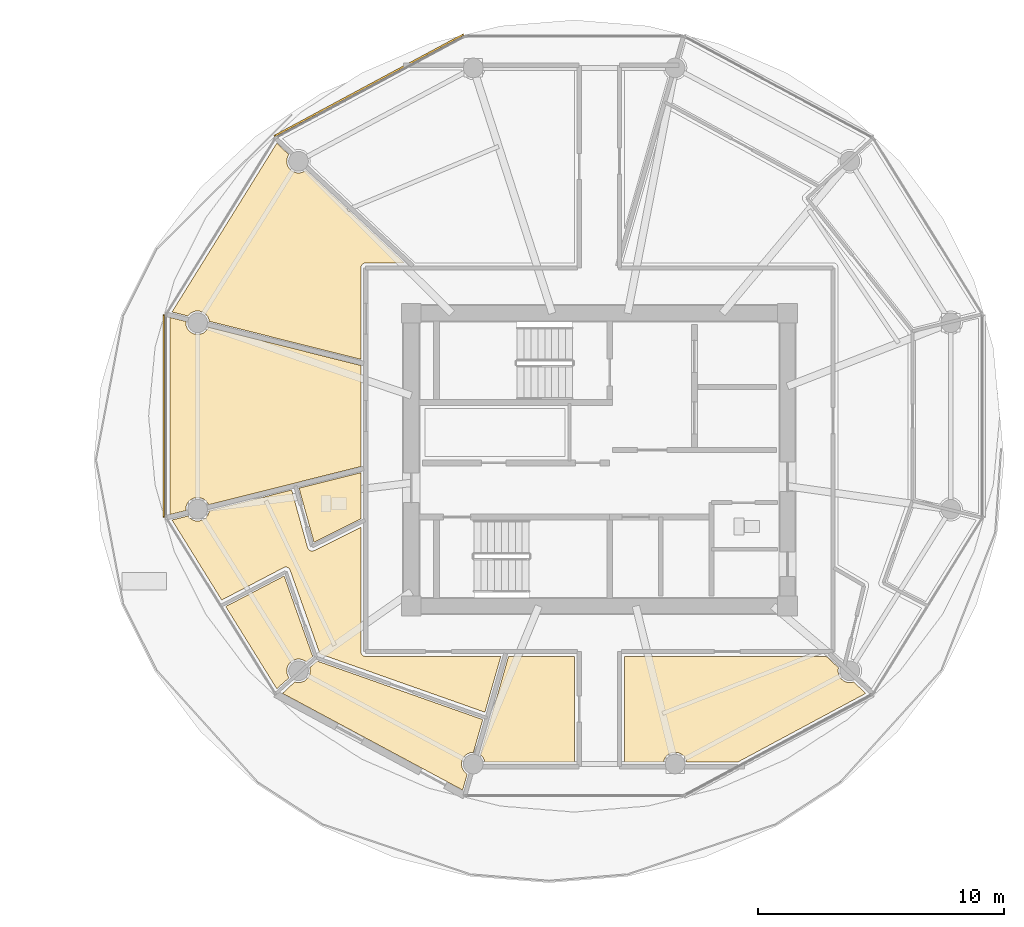
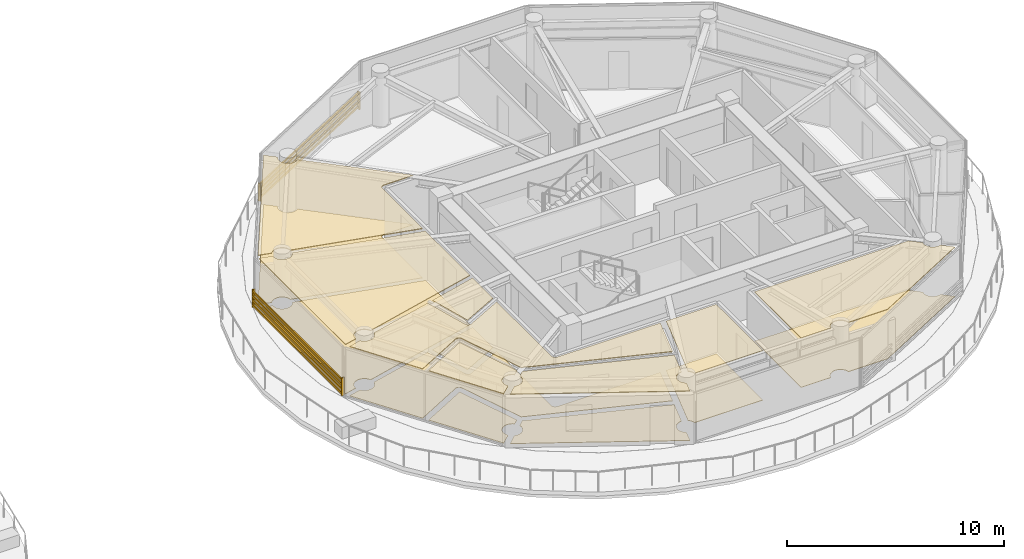
# One storey, part 22 of 28: 16 coverings, 2 shading devices.
"""IFC4 building model written with IfcOpenShell, lengths in metres."""

from ifc_helpers import new_model, si_unit, direction, frame, origin, origin_2d, place, context, subcontext, project, spatial, polyline, rectangle, outline, extrude, source, transform, mapped, material, layer, layer_set, type_object, type_shapes, element, save


model = new_model("IFC4")

# Units and contexts
model_context = context("Model", 3, precision=1e-05, world=origin(), true_north=direction((0.0, 1.0)))
body_context = subcontext(model_context, "Body", "Model", "MODEL_VIEW")
ifc_project = project(units=[si_unit("LENGTHUNIT", "METRE"), si_unit("AREAUNIT", "SQUARE_METRE"), si_unit("VOLUMEUNIT", "CUBIC_METRE"), si_unit("PLANEANGLEUNIT", "RADIAN"), si_unit("MASSUNIT", "GRAM", prefix="KILO")], contexts=[model_context])

# Site, building, storey
site_placement = place(None, origin())
site = spatial("IfcSite", under=ifc_project, at=site_placement, CompositionType="ELEMENT")
building_placement = place(site_placement, origin())
building = spatial("IfcBuilding", under=site, at=building_placement, Name="Norrkilde Senior Care Towers", CompositionType="ELEMENT")
storey_placement = place(building_placement, frame((0.0, 0.0, 134.300048828125)))
storey = spatial("IfcBuildingStorey", under=building, at=storey_placement, Name="L41", CompositionType="ELEMENT", Elevation=134.300048828125)

# Coverings
ifc_material_1 = material(Name="Nordic Ash Timber", Category="wood")
ifc_layer_1 = layer(ifc_material_1, 0.044921875)
ifc_layer_set_1 = layer_set([ifc_layer_1], Name="Nordic Ash Timber")
covering_type_1 = type_object("IfcCoveringType", Name="Acoustic Ash Timber Slatted Ceiling 45", PredefinedType="CEILING", material=ifc_layer_set_1)
covering_1_placement = place(storey_placement, frame((0.0, 0.0, 2.764892578125)))
element("IfcCovering", 1, at=covering_1_placement, inside=storey, type_object=covering_type_1, Name="L41 Suspended Ceiling 0291", PredefinedType="CEILING", context=body_context, shape_type="SweptSolid", body=[
    extrude(outline(polyline([(24.305419921875, -8.0), (26.97998046875, -8.0), (26.97998046875, -12.294677734375), (23.342041015625, -12.294677734375), (23.33642578125, -12.251220703125), (23.288330078125, -12.135498046875), (23.212158203125, -12.0361328125), (23.162353515625, -11.997802734375), (24.305419921875, -8.0)])), origin(), (0.0, 0.0, 1.0), 0.045166015625),
])
covering_2_placement = place(storey_placement, frame((0.0, 0.0, 2.764892578125)))
element("IfcCovering", 2, at=covering_2_placement, inside=storey, type_object=covering_type_1, Name="L41 Suspended Ceiling 0292", PredefinedType="CEILING", context=body_context, shape_type="SweptSolid", body=[
    extrude(outline(polyline([(31.546630859375, -12.294677734375), (31.541015625, -12.251220703125), (31.492919921875, -12.135498046875), (31.416748046875, -12.0361328125), (31.3173828125, -11.959716796875), (31.201416015625, -11.911865234375), (31.077392578125, -11.8955078125), (30.953125, -11.911865234375), (30.83740234375, -11.959716796875), (30.73779296875, -12.0361328125), (30.66162109375, -12.135498046875), (30.613525390625, -12.251220703125), (30.60791015625, -12.294677734375), (29.02001953125, -12.294677734375), (29.02001953125, -8.0), (37.228759765625, -8.0), (37.718994140625, -8.45947265625), (37.718994140625, -8.45947265625), (37.70263671875, -8.583740234375), (37.718994140625, -8.7080078125), (37.766845703125, -8.82373046875), (37.84326171875, -8.923095703125), (37.942626953125, -8.99951171875), (38.058349609375, -9.04736328125), (38.1826171875, -9.063720703125), (38.306884765625, -9.04736328125), (38.334228515625, -9.0361328125), (38.830810546875, -9.50146484375), (33.628662109375, -12.294677734375), (31.546630859375, -12.294677734375)])), origin(), (0.0, 0.0, 1.0), 0.045166015625),
])
covering_3_placement = place(storey_placement, frame((0.0, 0.0, 2.764892578125)))
element("IfcCovering", 3, at=covering_3_placement, inside=storey, type_object=covering_type_1, Name="L41 Suspended Ceiling 0293", PredefinedType="CEILING", context=body_context, shape_type="SweptSolid", body=[
    extrude(outline(polyline([(18.466796875, 7.9970703125), (18.455322265625, 7.994873046875), (18.447509765625, 7.992919921875), (18.436279296875, 7.989501953125), (18.428955078125, 7.98681640625), (18.41796875, 7.982421875), (18.410888671875, 7.97900390625), (18.400634765625, 7.973388671875), (18.393798828125, 7.969482421875), (18.384033203125, 7.962890625), (18.377685546875, 7.958251953125), (18.36865234375, 7.95068359375), (18.36279296875, 7.945556640625), (18.3544921875, 7.937255859375), (18.34912109375, 7.931396484375), (18.341796875, 7.92236328125), (18.337158203125, 7.916015625), (18.33056640625, 7.90625), (18.326416015625, 7.8994140625), (18.321044921875, 7.888916015625), (18.317626953125, 7.8818359375), (18.31298828125, 7.87109375), (18.310546875, 7.86376953125), (18.30712890625, 7.852294921875), (18.30517578125, 7.8447265625), (18.302734375, 7.833251953125), (18.3017578125, 7.825439453125), (18.300537109375, 7.813720703125), (18.300048828125, 7.805908203125), (18.300048828125, 7.800048828125), (18.300048828125, 4.077880859375), (12.137451171875, 5.62548828125), (12.128662109375, 5.691162109375), (12.080810546875, 5.80712890625), (12.00439453125, 5.906494140625), (11.905029296875, 5.982666015625), (11.789306640625, 6.03076171875), (11.6650390625, 6.047119140625), (11.540771484375, 6.03076171875), (11.425048828125, 5.982666015625), (11.32568359375, 5.906494140625), (11.276123046875, 5.841796875), (10.625, 6.00537109375), (14.882568359375, 12.863037109375), (15.37353515625, 12.40283203125), (15.3515625, 12.37451171875), (15.3037109375, 12.2587890625), (15.287353515625, 12.134521484375), (15.3037109375, 12.01025390625), (15.3515625, 11.89453125), (15.427978515625, 11.795166015625), (15.52734375, 11.71875), (15.64306640625, 11.6708984375), (15.767333984375, 11.654541015625), (15.8916015625, 11.6708984375), (16.00732421875, 11.71875), (16.06005859375, 11.75927734375), (20.07080078125, 8.0), (18.5, 8.0), (18.494140625, 7.999755859375), (18.486328125, 7.99951171875), (18.474609375, 7.998291015625), (18.466796875, 7.9970703125)])), origin(), (0.0, 0.0, 1.0), 0.045166015625),
])
covering_4_placement = place(storey_placement, frame((0.0, 0.0, 2.764892578125)))
element("IfcCovering", 4, at=covering_4_placement, inside=storey, type_object=covering_type_1, Name="L41 Suspended Ceiling 0294", PredefinedType="CEILING", context=body_context, shape_type="SweptSolid", body=[
    extrude(outline(polyline([(11.18505859375, 5.567138671875), (11.201416015625, 5.44287109375), (11.249267578125, 5.3271484375), (11.32568359375, 5.2275390625), (11.425048828125, 5.1513671875), (11.540771484375, 5.103515625), (11.6650390625, 5.087158203125), (11.789306640625, 5.103515625), (11.905029296875, 5.1513671875), (12.00439453125, 5.2275390625), (12.080810546875, 5.3271484375), (12.105224609375, 5.38623046875), (18.300048828125, 3.830322265625), (18.300048828125, -0.279541015625), (12.105224609375, -1.83544921875), (12.080810546875, -1.7763671875), (12.00439453125, -1.677001953125), (11.905029296875, -1.6005859375), (11.789306640625, -1.552734375), (11.6650390625, -1.536376953125), (11.540771484375, -1.552734375), (11.425048828125, -1.6005859375), (11.32568359375, -1.677001953125), (11.249267578125, -1.7763671875), (11.201416015625, -1.89208984375), (11.18505859375, -2.016357421875), (11.19140625, -2.06494140625), (10.5390625, -2.228759765625), (10.5390625, 5.779541015625), (11.19140625, 5.61572265625), (11.18505859375, 5.567138671875)])), origin(), (0.0, 0.0, 1.0), 0.045166015625),
])
covering_5_placement = place(storey_placement, frame((0.0, 0.0, 2.764892578125)))
element("IfcCovering", 5, at=covering_5_placement, inside=storey, type_object=covering_type_1, Name="L41 Suspended Ceiling 0295", PredefinedType="CEILING", context=body_context, shape_type="SweptSolid", body=[
    extrude(outline(polyline([(16.143798828125, -3.599609375), (16.146484375, -3.605712890625), (16.15185546875, -3.616455078125), (16.1552734375, -3.622314453125), (16.161376953125, -3.63232421875), (16.16552734375, -3.637939453125), (16.172607421875, -3.647216796875), (16.177001953125, -3.65234375), (16.185302734375, -3.660888671875), (16.190185546875, -3.66552734375), (16.198974609375, -3.67333984375), (16.204345703125, -3.677490234375), (16.214111328125, -3.684326171875), (16.2197265625, -3.68798828125), (16.22998046875, -3.69384765625), (16.236083984375, -3.69677734375), (16.246826171875, -3.70166015625), (16.253173828125, -3.7041015625), (16.264404296875, -3.707763671875), (16.27099609375, -3.709716796875), (16.282470703125, -3.71240234375), (16.2890625, -3.71337890625), (16.30078125, -3.71484375), (16.3076171875, -3.715576171875), (16.3193359375, -3.7158203125), (16.326171875, -3.715576171875), (16.337890625, -3.71484375), (16.3447265625, -3.714111328125), (16.3564453125, -3.712158203125), (16.363037109375, -3.710693359375), (16.374267578125, -3.70751953125), (16.380859375, -3.705322265625), (16.391845703125, -3.701171875), (16.398193359375, -3.698486328125), (16.403564453125, -3.696044921875), (18.300048828125, -2.75244140625), (18.300048828125, -7.800048828125), (18.300048828125, -7.805908203125), (18.300537109375, -7.813720703125), (18.3017578125, -7.825439453125), (18.302734375, -7.833251953125), (18.30517578125, -7.8447265625), (18.30712890625, -7.852294921875), (18.310546875, -7.86376953125), (18.31298828125, -7.87109375), (18.317626953125, -7.8818359375), (18.321044921875, -7.888916015625), (18.326416015625, -7.8994140625), (18.33056640625, -7.90625), (18.337158203125, -7.916015625), (18.341796875, -7.92236328125), (18.34912109375, -7.931396484375), (18.3544921875, -7.937255859375), (18.36279296875, -7.945556640625), (18.36865234375, -7.95068359375), (18.377685546875, -7.958251953125), (18.384033203125, -7.962890625), (18.393798828125, -7.969482421875), (18.400634765625, -7.973388671875), (18.410888671875, -7.97900390625), (18.41796875, -7.982421875), (18.428955078125, -7.98681640625), (18.436279296875, -7.989501953125), (18.447509765625, -7.992919921875), (18.455322265625, -7.994873046875), (18.466796875, -7.9970703125), (18.474609375, -7.998291015625), (18.486328125, -7.99951171875), (18.494140625, -7.999755859375), (18.5, -8.0), (23.993408203125, -8.0), (23.344482421875, -10.269287109375), (16.637939453125, -7.897705078125), (15.4287109375, -4.494873046875), (15.426513671875, -4.4892578125), (15.423828125, -4.482666015625), (15.418701171875, -4.471923828125), (15.415283203125, -4.465576171875), (15.408935546875, -4.455322265625), (15.405029296875, -4.449462890625), (15.39794921875, -4.439697265625), (15.393310546875, -4.434326171875), (15.38525390625, -4.425537109375), (15.380126953125, -4.42041015625), (15.37109375, -4.41259765625), (15.36572265625, -4.408203125), (15.355712890625, -4.401123046875), (15.349853515625, -4.397216796875), (15.33935546875, -4.39111328125), (15.333251953125, -4.387939453125), (15.322265625, -4.383056640625), (15.315673828125, -4.38037109375), (15.30419921875, -4.37646484375), (15.29736328125, -4.374755859375), (15.28564453125, -4.3720703125), (15.278564453125, -4.370849609375), (15.2666015625, -4.369384765625), (15.259765625, -4.368896484375), (15.24755859375, -4.36865234375), (15.240478515625, -4.36865234375), (15.228515625, -4.36962890625), (15.221435546875, -4.37060546875), (15.209716796875, -4.372802734375), (15.202880859375, -4.37451171875), (15.191162109375, -4.377685546875), (15.1845703125, -4.380126953125), (15.17333984375, -4.384521484375), (15.1669921875, -4.387451171875), (15.161376953125, -4.39013671875), (12.64453125, -5.70751953125), (10.625, -2.45458984375), (11.276123046875, -2.291259765625), (11.32568359375, -2.355712890625), (11.425048828125, -2.43212890625), (11.540771484375, -2.47998046875), (11.6650390625, -2.496337890625), (11.789306640625, -2.47998046875), (11.905029296875, -2.43212890625), (12.00439453125, -2.355712890625), (12.080810546875, -2.25634765625), (12.128662109375, -2.140625), (12.137451171875, -2.074951171875), (15.488037109375, -1.2333984375), (16.1357421875, -3.576416015625), (16.137451171875, -3.58203125), (16.1396484375, -3.588623046875), (16.143798828125, -3.599609375)])), origin(), (0.0, 0.0, 1.0), 0.045166015625),
])
covering_6_placement = place(storey_placement, frame((0.0, 0.0, 2.764892578125)))
element("IfcCovering", 6, at=covering_6_placement, inside=storey, type_object=covering_type_1, Name="L41 Suspended Ceiling 0297", PredefinedType="CEILING", context=body_context, shape_type="SweptSolid", body=[
    extrude(outline(polyline([(15.182861328125, -4.72900390625), (16.34619140625, -8.002685546875), (16.09033203125, -8.23193359375), (16.00732421875, -8.16796875), (15.8916015625, -8.1201171875), (15.767333984375, -8.103759765625), (15.64306640625, -8.1201171875), (15.52734375, -8.16796875), (15.427978515625, -8.244384765625), (15.3515625, -8.34375), (15.3037109375, -8.45947265625), (15.287353515625, -8.583740234375), (15.3037109375, -8.7080078125), (15.3515625, -8.82373046875), (15.383544921875, -8.865478515625), (14.88330078125, -9.31396484375), (12.808349609375, -5.971435546875), (15.182861328125, -4.72900390625)])), origin(), (0.0, 0.0, 1.0), 0.045166015625),
])
covering_7_placement = place(storey_placement, frame((0.0, 0.0, 2.764892578125)))
element("IfcCovering", 7, at=covering_7_placement, inside=storey, type_object=covering_type_1, Name="L41 Suspended Ceiling 0298", PredefinedType="CEILING", context=body_context, shape_type="SweptSolid", body=[
    extrude(outline(polyline([(15.64306640625, -9.04736328125), (15.767333984375, -9.063720703125), (15.8916015625, -9.04736328125), (16.00732421875, -8.99951171875), (16.106689453125, -8.923095703125), (16.18310546875, -8.82373046875), (16.23095703125, -8.7080078125), (16.247314453125, -8.583740234375), (16.23095703125, -8.45947265625), (16.23095703125, -8.45947265625), (16.52294921875, -8.185791015625), (23.25927734375, -10.56787109375), (22.87939453125, -11.896240234375), (22.872802734375, -11.8955078125), (22.74853515625, -11.911865234375), (22.6328125, -11.959716796875), (22.533203125, -12.0361328125), (22.45703125, -12.135498046875), (22.4091796875, -12.251220703125), (22.392822265625, -12.37548828125), (22.4091796875, -12.499755859375), (22.45703125, -12.615478515625), (22.533203125, -12.71484375), (22.625244140625, -12.785400390625), (22.4404296875, -13.432373046875), (15.119384765625, -9.50146484375), (15.61572265625, -9.0361328125), (15.64306640625, -9.04736328125)])), origin(), (0.0, 0.0, 1.0), 0.045166015625),
])
ifc_material_2 = material(Name="Gypsum Acoustic Board")
ifc_layer_2 = layer(ifc_material_2, 0.030029296875)
ifc_layer_set_2 = layer_set([ifc_layer_2], Name="Gypsum Acoustic Board")
covering_type_2 = type_object("IfcCoveringType", Name="Medical Cleanable Gypsum Ceiling 30", PredefinedType="CEILING", material=ifc_layer_set_2)
covering_8_placement = place(storey_placement, frame((0.0, 0.0, 2.780029296875)))
element("IfcCovering", 8, at=covering_8_placement, inside=storey, type_object=covering_type_2, Name="L41 Suspended Ceiling 0296", PredefinedType="CEILING", context=body_context, shape_type="SweptSolid", body=[
    extrude(outline(polyline([(15.788818359375, -1.15771484375), (18.300048828125, -0.527099609375), (18.300048828125, -2.40625), (16.395751953125, -3.353515625), (15.788818359375, -1.15771484375)])), origin(), (0.0, 0.0, 1.0), 0.030029296875),
])
ifc_material_3 = material(Name="Slip-Resistant Porcelain Stone", Category="masonry")
ifc_layer_3 = layer(ifc_material_3, 0.02490234375)
ifc_layer_set_3 = layer_set([ifc_layer_3], Name="Slip-Resistant Porcelain Stone")
covering_type_3 = type_object("IfcCoveringType", Name="Slip-Resistant Porcelain Flooring 25", PredefinedType="FLOORING", material=ifc_layer_set_3)
covering_9_placement = place(storey_placement, origin())
element("IfcCovering", 9, at=covering_9_placement, inside=storey, type_object=covering_type_3, Name="L41 Floor Finish 0291", PredefinedType="FLOORING", context=body_context, shape_type="SweptSolid", body=[
    extrude(outline(polyline([(24.305419921875, -8.0), (26.97998046875, -8.0), (26.97998046875, -12.294677734375), (23.342041015625, -12.294677734375), (23.33642578125, -12.251220703125), (23.288330078125, -12.135498046875), (23.212158203125, -12.0361328125), (23.162353515625, -11.997802734375), (24.305419921875, -8.0)])), origin(), (0.0, 0.0, 1.0), 0.02490234375),
])
covering_10_placement = place(storey_placement, origin())
element("IfcCovering", 10, at=covering_10_placement, inside=storey, type_object=covering_type_3, Name="L41 Floor Finish 0292", PredefinedType="FLOORING", context=body_context, shape_type="SweptSolid", body=[
    extrude(outline(polyline([(31.546630859375, -12.294677734375), (31.541015625, -12.251220703125), (31.492919921875, -12.135498046875), (31.416748046875, -12.0361328125), (31.3173828125, -11.959716796875), (31.201416015625, -11.911865234375), (31.077392578125, -11.8955078125), (30.953125, -11.911865234375), (30.83740234375, -11.959716796875), (30.73779296875, -12.0361328125), (30.66162109375, -12.135498046875), (30.613525390625, -12.251220703125), (30.60791015625, -12.294677734375), (29.02001953125, -12.294677734375), (29.02001953125, -8.0), (37.228759765625, -8.0), (37.718994140625, -8.45947265625), (37.718994140625, -8.45947265625), (37.70263671875, -8.583740234375), (37.718994140625, -8.7080078125), (37.766845703125, -8.82373046875), (37.84326171875, -8.923095703125), (37.942626953125, -8.99951171875), (38.058349609375, -9.04736328125), (38.1826171875, -9.063720703125), (38.306884765625, -9.04736328125), (38.334228515625, -9.0361328125), (38.830810546875, -9.50146484375), (33.628662109375, -12.294677734375), (31.546630859375, -12.294677734375)])), origin(), (0.0, 0.0, 1.0), 0.02490234375),
])
covering_11_placement = place(storey_placement, origin())
element("IfcCovering", 11, at=covering_11_placement, inside=storey, type_object=covering_type_3, Name="L41 Floor Finish 0293", PredefinedType="FLOORING", context=body_context, shape_type="SweptSolid", body=[
    extrude(outline(polyline([(18.466796875, 7.9970703125), (18.455322265625, 7.994873046875), (18.447509765625, 7.992919921875), (18.436279296875, 7.989501953125), (18.428955078125, 7.98681640625), (18.41796875, 7.982421875), (18.410888671875, 7.97900390625), (18.400634765625, 7.973388671875), (18.393798828125, 7.969482421875), (18.384033203125, 7.962890625), (18.377685546875, 7.958251953125), (18.36865234375, 7.95068359375), (18.36279296875, 7.945556640625), (18.3544921875, 7.937255859375), (18.34912109375, 7.931396484375), (18.341796875, 7.92236328125), (18.337158203125, 7.916015625), (18.33056640625, 7.90625), (18.326416015625, 7.8994140625), (18.321044921875, 7.888916015625), (18.317626953125, 7.8818359375), (18.31298828125, 7.87109375), (18.310546875, 7.86376953125), (18.30712890625, 7.852294921875), (18.30517578125, 7.8447265625), (18.302734375, 7.833251953125), (18.3017578125, 7.825439453125), (18.300537109375, 7.813720703125), (18.300048828125, 7.805908203125), (18.300048828125, 7.800048828125), (18.300048828125, 4.077880859375), (12.137451171875, 5.62548828125), (12.128662109375, 5.691162109375), (12.080810546875, 5.80712890625), (12.00439453125, 5.906494140625), (11.905029296875, 5.982666015625), (11.789306640625, 6.03076171875), (11.6650390625, 6.047119140625), (11.540771484375, 6.03076171875), (11.425048828125, 5.982666015625), (11.32568359375, 5.906494140625), (11.276123046875, 5.841796875), (10.625, 6.00537109375), (14.882568359375, 12.863037109375), (15.37353515625, 12.40283203125), (15.3515625, 12.37451171875), (15.3037109375, 12.2587890625), (15.287353515625, 12.134521484375), (15.3037109375, 12.01025390625), (15.3515625, 11.89453125), (15.427978515625, 11.795166015625), (15.52734375, 11.71875), (15.64306640625, 11.6708984375), (15.767333984375, 11.654541015625), (15.8916015625, 11.6708984375), (16.00732421875, 11.71875), (16.06005859375, 11.75927734375), (20.07080078125, 8.0), (18.5, 8.0), (18.494140625, 7.999755859375), (18.486328125, 7.99951171875), (18.474609375, 7.998291015625), (18.466796875, 7.9970703125)])), origin(), (0.0, 0.0, 1.0), 0.02490234375),
])
covering_12_placement = place(storey_placement, origin())
element("IfcCovering", 12, at=covering_12_placement, inside=storey, type_object=covering_type_3, Name="L41 Floor Finish 0294", PredefinedType="FLOORING", context=body_context, shape_type="SweptSolid", body=[
    extrude(outline(polyline([(11.18505859375, 5.567138671875), (11.201416015625, 5.44287109375), (11.249267578125, 5.3271484375), (11.32568359375, 5.2275390625), (11.425048828125, 5.1513671875), (11.540771484375, 5.103515625), (11.6650390625, 5.087158203125), (11.789306640625, 5.103515625), (11.905029296875, 5.1513671875), (12.00439453125, 5.2275390625), (12.080810546875, 5.3271484375), (12.105224609375, 5.38623046875), (18.300048828125, 3.830322265625), (18.300048828125, -0.279541015625), (12.105224609375, -1.83544921875), (12.080810546875, -1.7763671875), (12.00439453125, -1.677001953125), (11.905029296875, -1.6005859375), (11.789306640625, -1.552734375), (11.6650390625, -1.536376953125), (11.540771484375, -1.552734375), (11.425048828125, -1.6005859375), (11.32568359375, -1.677001953125), (11.249267578125, -1.7763671875), (11.201416015625, -1.89208984375), (11.18505859375, -2.016357421875), (11.19140625, -2.06494140625), (10.5390625, -2.228759765625), (10.5390625, 5.779541015625), (11.19140625, 5.61572265625), (11.18505859375, 5.567138671875)])), origin(), (0.0, 0.0, 1.0), 0.02490234375),
])
covering_13_placement = place(storey_placement, origin())
element("IfcCovering", 13, at=covering_13_placement, inside=storey, type_object=covering_type_3, Name="L41 Floor Finish 0295", PredefinedType="FLOORING", context=body_context, shape_type="SweptSolid", body=[
    extrude(outline(polyline([(16.143798828125, -3.599609375), (16.146484375, -3.605712890625), (16.15185546875, -3.616455078125), (16.1552734375, -3.622314453125), (16.161376953125, -3.63232421875), (16.16552734375, -3.637939453125), (16.172607421875, -3.647216796875), (16.177001953125, -3.65234375), (16.185302734375, -3.660888671875), (16.190185546875, -3.66552734375), (16.198974609375, -3.67333984375), (16.204345703125, -3.677490234375), (16.214111328125, -3.684326171875), (16.2197265625, -3.68798828125), (16.22998046875, -3.69384765625), (16.236083984375, -3.69677734375), (16.246826171875, -3.70166015625), (16.253173828125, -3.7041015625), (16.264404296875, -3.707763671875), (16.27099609375, -3.709716796875), (16.282470703125, -3.71240234375), (16.2890625, -3.71337890625), (16.30078125, -3.71484375), (16.3076171875, -3.715576171875), (16.3193359375, -3.7158203125), (16.326171875, -3.715576171875), (16.337890625, -3.71484375), (16.3447265625, -3.714111328125), (16.3564453125, -3.712158203125), (16.363037109375, -3.710693359375), (16.374267578125, -3.70751953125), (16.380859375, -3.705322265625), (16.391845703125, -3.701171875), (16.398193359375, -3.698486328125), (16.403564453125, -3.696044921875), (18.300048828125, -2.75244140625), (18.300048828125, -7.800048828125), (18.300048828125, -7.805908203125), (18.300537109375, -7.813720703125), (18.3017578125, -7.825439453125), (18.302734375, -7.833251953125), (18.30517578125, -7.8447265625), (18.30712890625, -7.852294921875), (18.310546875, -7.86376953125), (18.31298828125, -7.87109375), (18.317626953125, -7.8818359375), (18.321044921875, -7.888916015625), (18.326416015625, -7.8994140625), (18.33056640625, -7.90625), (18.337158203125, -7.916015625), (18.341796875, -7.92236328125), (18.34912109375, -7.931396484375), (18.3544921875, -7.937255859375), (18.36279296875, -7.945556640625), (18.36865234375, -7.95068359375), (18.377685546875, -7.958251953125), (18.384033203125, -7.962890625), (18.393798828125, -7.969482421875), (18.400634765625, -7.973388671875), (18.410888671875, -7.97900390625), (18.41796875, -7.982421875), (18.428955078125, -7.98681640625), (18.436279296875, -7.989501953125), (18.447509765625, -7.992919921875), (18.455322265625, -7.994873046875), (18.466796875, -7.9970703125), (18.474609375, -7.998291015625), (18.486328125, -7.99951171875), (18.494140625, -7.999755859375), (18.5, -8.0), (23.993408203125, -8.0), (23.344482421875, -10.269287109375), (16.637939453125, -7.897705078125), (15.4287109375, -4.494873046875), (15.426513671875, -4.4892578125), (15.423828125, -4.482666015625), (15.418701171875, -4.471923828125), (15.415283203125, -4.465576171875), (15.408935546875, -4.455322265625), (15.405029296875, -4.449462890625), (15.39794921875, -4.439697265625), (15.393310546875, -4.434326171875), (15.38525390625, -4.425537109375), (15.380126953125, -4.42041015625), (15.37109375, -4.41259765625), (15.36572265625, -4.408203125), (15.355712890625, -4.401123046875), (15.349853515625, -4.397216796875), (15.33935546875, -4.39111328125), (15.333251953125, -4.387939453125), (15.322265625, -4.383056640625), (15.315673828125, -4.38037109375), (15.30419921875, -4.37646484375), (15.29736328125, -4.374755859375), (15.28564453125, -4.3720703125), (15.278564453125, -4.370849609375), (15.2666015625, -4.369384765625), (15.259765625, -4.368896484375), (15.24755859375, -4.36865234375), (15.240478515625, -4.36865234375), (15.228515625, -4.36962890625), (15.221435546875, -4.37060546875), (15.209716796875, -4.372802734375), (15.202880859375, -4.37451171875), (15.191162109375, -4.377685546875), (15.1845703125, -4.380126953125), (15.17333984375, -4.384521484375), (15.1669921875, -4.387451171875), (15.161376953125, -4.39013671875), (12.64453125, -5.70751953125), (10.625, -2.45458984375), (11.276123046875, -2.291259765625), (11.32568359375, -2.355712890625), (11.425048828125, -2.43212890625), (11.540771484375, -2.47998046875), (11.6650390625, -2.496337890625), (11.789306640625, -2.47998046875), (11.905029296875, -2.43212890625), (12.00439453125, -2.355712890625), (12.080810546875, -2.25634765625), (12.128662109375, -2.140625), (12.137451171875, -2.074951171875), (15.488037109375, -1.2333984375), (16.1357421875, -3.576416015625), (16.137451171875, -3.58203125), (16.1396484375, -3.588623046875), (16.143798828125, -3.599609375)])), origin(), (0.0, 0.0, 1.0), 0.02490234375),
])
covering_14_placement = place(storey_placement, origin())
element("IfcCovering", 14, at=covering_14_placement, inside=storey, type_object=covering_type_3, Name="L41 Floor Finish 0296", PredefinedType="FLOORING", context=body_context, shape_type="SweptSolid", body=[
    extrude(outline(polyline([(15.788818359375, -1.15771484375), (18.300048828125, -0.527099609375), (18.300048828125, -2.40625), (16.395751953125, -3.353515625), (15.788818359375, -1.15771484375)])), origin(), (0.0, 0.0, 1.0), 0.02490234375),
])
covering_15_placement = place(storey_placement, origin())
element("IfcCovering", 15, at=covering_15_placement, inside=storey, type_object=covering_type_3, Name="L41 Floor Finish 0297", PredefinedType="FLOORING", context=body_context, shape_type="SweptSolid", body=[
    extrude(outline(polyline([(15.182861328125, -4.72900390625), (16.34619140625, -8.002685546875), (16.09033203125, -8.23193359375), (16.00732421875, -8.16796875), (15.8916015625, -8.1201171875), (15.767333984375, -8.103759765625), (15.64306640625, -8.1201171875), (15.52734375, -8.16796875), (15.427978515625, -8.244384765625), (15.3515625, -8.34375), (15.3037109375, -8.45947265625), (15.287353515625, -8.583740234375), (15.3037109375, -8.7080078125), (15.3515625, -8.82373046875), (15.383544921875, -8.865478515625), (14.88330078125, -9.31396484375), (12.808349609375, -5.971435546875), (15.182861328125, -4.72900390625)])), origin(), (0.0, 0.0, 1.0), 0.02490234375),
])
covering_16_placement = place(storey_placement, origin())
element("IfcCovering", 16, at=covering_16_placement, inside=storey, type_object=covering_type_3, Name="L41 Floor Finish 0298", PredefinedType="FLOORING", context=body_context, shape_type="SweptSolid", body=[
    extrude(outline(polyline([(15.64306640625, -9.04736328125), (15.767333984375, -9.063720703125), (15.8916015625, -9.04736328125), (16.00732421875, -8.99951171875), (16.106689453125, -8.923095703125), (16.18310546875, -8.82373046875), (16.23095703125, -8.7080078125), (16.247314453125, -8.583740234375), (16.23095703125, -8.45947265625), (16.23095703125, -8.45947265625), (16.52294921875, -8.185791015625), (23.25927734375, -10.56787109375), (22.87939453125, -11.896240234375), (22.872802734375, -11.8955078125), (22.74853515625, -11.911865234375), (22.6328125, -11.959716796875), (22.533203125, -12.0361328125), (22.45703125, -12.135498046875), (22.4091796875, -12.251220703125), (22.392822265625, -12.37548828125), (22.4091796875, -12.499755859375), (22.45703125, -12.615478515625), (22.533203125, -12.71484375), (22.625244140625, -12.785400390625), (22.4404296875, -13.432373046875), (15.119384765625, -9.50146484375), (15.61572265625, -9.0361328125), (15.64306640625, -9.04736328125)])), origin(), (0.0, 0.0, 1.0), 0.02490234375),
])

# Shading devices
ifc_material_4 = material(Name="Architectural Terracotta", Category="masonry")
shading_device_type = type_object("IfcShadingDeviceType", Name="Horizontal Terracotta Baguette Rack", PredefinedType="USERDEFINED", material=ifc_material_4)
shared_shape_1 = source(origin(), body_context, "Body", "SweptSolid", [
    extrude(rectangle(XDim=0.070068359375, YDim=0.110107421875, at=origin_2d()), frame((0.0, 0.090087890625, 0.125), z_axis=(1.0, 0.0, 0.0), x_axis=(0.0, 1.0, 0.0)), (0.0, 0.0, 1.0), 8.741943359375),
    extrude(rectangle(XDim=0.070068359375, YDim=0.110107421875, at=origin_2d()), frame((0.0, 0.090087890625, 0.375), z_axis=(1.0, 0.0, 0.0), x_axis=(0.0, 1.0, 0.0)), (0.0, 0.0, 1.0), 8.741943359375),
    extrude(rectangle(XDim=0.070068359375, YDim=0.110107421875, at=origin_2d()), frame((0.0, 0.090087890625, 0.625), z_axis=(1.0, 0.0, 0.0), x_axis=(0.0, 1.0, 0.0)), (0.0, 0.0, 1.0), 8.741943359375),
    extrude(rectangle(XDim=0.070068359375, YDim=0.110107421875, at=origin_2d()), frame((0.0, 0.090087890625, 0.875), z_axis=(1.0, 0.0, 0.0), x_axis=(0.0, 1.0, 0.0)), (0.0, 0.0, 1.0), 8.741943359375),
    extrude(rectangle(XDim=0.050048828125, YDim=0.1552734375, at=origin_2d()), frame((0.02490234375, 0.047607421875, 0.0)), (0.0, 0.0, 1.0), 1.0),
    extrude(rectangle(XDim=0.050048828125, YDim=0.1552734375, at=origin_2d()), frame((8.716796875, 0.047607421875, 0.0)), (0.0, 0.0, 1.0), 1.0),
])
shading_device_1_placement = place(storey_placement, frame((14.826904296875, 13.074951171875, 0.079833984375), z_axis=(0.0, 0.0, 1.0), x_axis=(0.881000921608, 0.473119781048, 0.0)))
element("IfcShadingDevice", 17, at=shading_device_1_placement, inside=storey, type_object=shading_device_type, Name="L41 Drum E Terracotta Baguette Screen 03", ObjectType="BAGUETTE", PredefinedType="USERDEFINED", context=body_context, shape_type="MappedRepresentation", body=[
    mapped(shared_shape_1, transform((0.0, 0.0, 0.0), x_axis=(1.0, 0.0, 0.0), y_axis=(0.0, 1.0, 0.0), z_axis=(0.0, 0.0, 1.0), scale=1.0)),
])
shared_shape_2 = source(origin(), body_context, "Body", "SweptSolid", [
    extrude(rectangle(XDim=0.070068359375, YDim=0.110107421875, at=origin_2d()), frame((0.0, 0.090087890625, 0.125), z_axis=(1.0, 0.0, 0.0), x_axis=(0.0, 1.0, 0.0)), (0.0, 0.0, 1.0), 8.27197265625),
    extrude(rectangle(XDim=0.070068359375, YDim=0.110107421875, at=origin_2d()), frame((0.0, 0.090087890625, 0.375), z_axis=(1.0, 0.0, 0.0), x_axis=(0.0, 1.0, 0.0)), (0.0, 0.0, 1.0), 8.27197265625),
    extrude(rectangle(XDim=0.070068359375, YDim=0.110107421875, at=origin_2d()), frame((0.0, 0.090087890625, 0.625), z_axis=(1.0, 0.0, 0.0), x_axis=(0.0, 1.0, 0.0)), (0.0, 0.0, 1.0), 8.27197265625),
    extrude(rectangle(XDim=0.070068359375, YDim=0.110107421875, at=origin_2d()), frame((0.0, 0.090087890625, 0.875), z_axis=(1.0, 0.0, 0.0), x_axis=(0.0, 1.0, 0.0)), (0.0, 0.0, 1.0), 8.27197265625),
    extrude(rectangle(XDim=0.050048828125, YDim=0.1552734375, at=origin_2d()), frame((0.02490234375, 0.047607421875, 0.0)), (0.0, 0.0, 1.0), 1.0),
    extrude(rectangle(XDim=0.050048828125, YDim=0.1552734375, at=origin_2d()), frame((8.2470703125, 0.047607421875, 0.0)), (0.0, 0.0, 1.0), 1.0),
])
type_shapes(shading_device_type, [shared_shape_1, shared_shape_2])
shading_device_2_placement = place(storey_placement, frame((10.38037109375, -2.360595703125, 0.079833984375), z_axis=(0.0, 0.0, 1.0), x_axis=(0.0, 1.0, 0.0)))
element("IfcShadingDevice", 18, at=shading_device_2_placement, inside=storey, type_object=shading_device_type, Name="L41 Drum E Terracotta Baguette Screen 05", ObjectType="BAGUETTE", PredefinedType="USERDEFINED", context=body_context, shape_type="MappedRepresentation", body=[
    mapped(shared_shape_2, transform((0.0, 0.0, 0.0), x_axis=(1.0, 0.0, 0.0), y_axis=(0.0, 1.0, 0.0), z_axis=(0.0, 0.0, 1.0), scale=1.0)),
])

save(model, "model.ifc")
